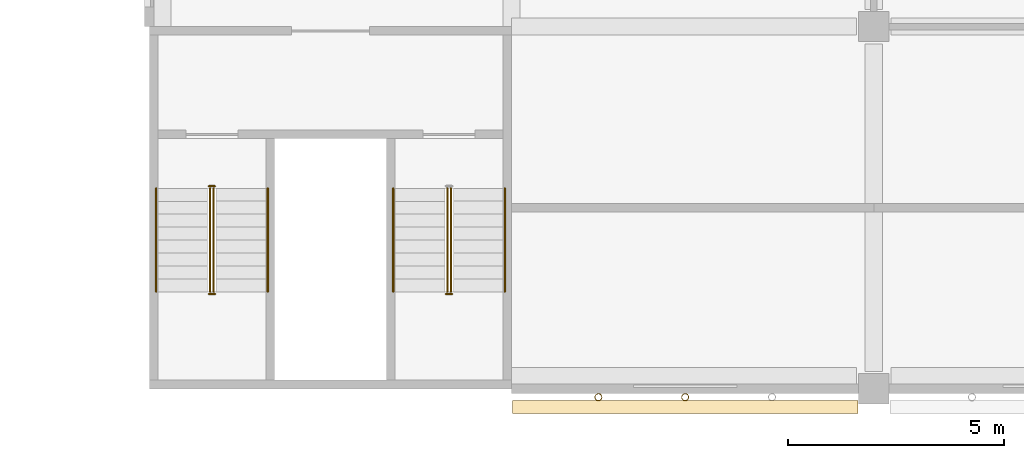
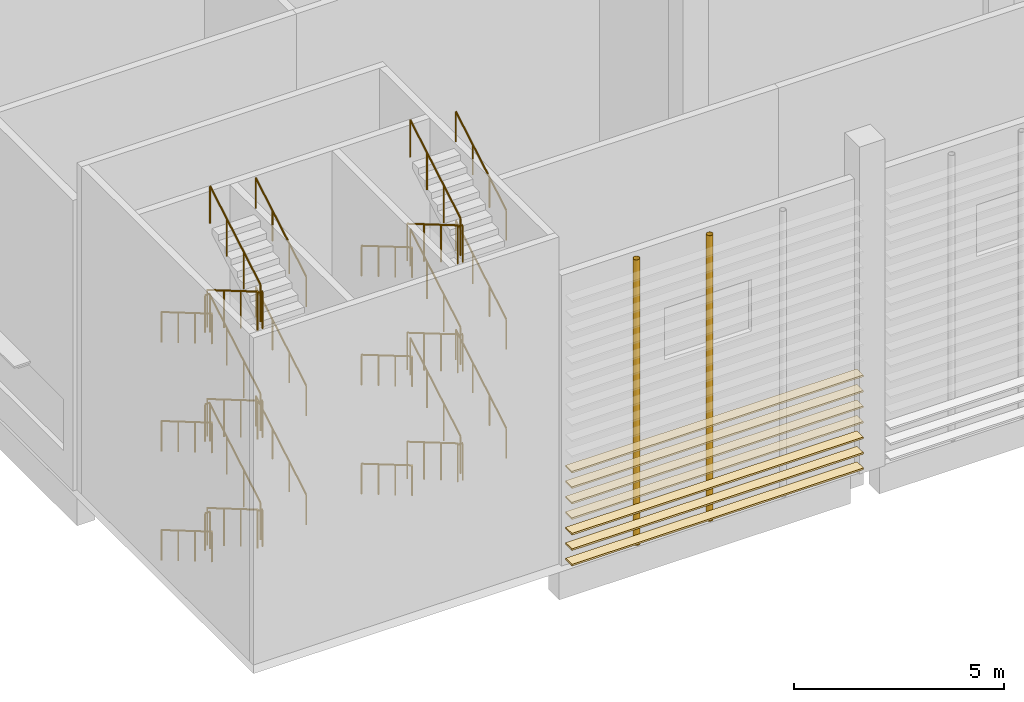
# One storey, part 71 of 114: 33 railings, 7 coverings, 2 shading devices.
"""IFC4 building model written with IfcOpenShell, lengths in metres."""

from ifc_helpers import new_model, si_unit, direction, frame, origin, origin_2d, place, context, subcontext, project, spatial, rectangle, circle, hollow_circle, extrude, material, material_profile, profile_set, type_object, element, save


model = new_model("IFC4")

# Units and contexts
model_context = context("Model", 3, precision=1e-05, world=origin(), true_north=direction((0.0, 1.0)))
body_context = subcontext(model_context, "Body", "Model", "MODEL_VIEW")
ifc_project = project(units=[si_unit("LENGTHUNIT", "METRE"), si_unit("AREAUNIT", "SQUARE_METRE"), si_unit("VOLUMEUNIT", "CUBIC_METRE"), si_unit("PLANEANGLEUNIT", "RADIAN"), si_unit("MASSUNIT", "GRAM", prefix="KILO")], contexts=[model_context])

# Site, building, storey
site_placement = place(None, origin())
site = spatial("IfcSite", under=ifc_project, at=site_placement, CompositionType="ELEMENT")
building_placement = place(site_placement, origin())
building = spatial("IfcBuilding", under=site, at=building_placement, Name="Almond Square Museum", CompositionType="ELEMENT")
storey_placement = place(building_placement, frame((0.0, 0.0, 10.5)))
storey = spatial("IfcBuildingStorey", under=building, at=storey_placement, Name="L02", CompositionType="ELEMENT", Elevation=10.5)

# Shading devices
ifc_material_1 = material(Name="Structural steel S355", Category="steel")
ifc_material_profile_1 = material_profile(ifc_material_1, hollow_circle(Radius=0.084228515625, WallThickness=0.008056640625, at=origin_2d()))
ifc_profile_set_1 = profile_set([ifc_material_profile_1], Name="Structural steel S355")
shading_device_type = type_object("IfcShadingDeviceType", Name="Louvre post CHS 168.3 x 8", PredefinedType="USERDEFINED", material=ifc_profile_set_1)
for number, where, z_axis, x_axis, name in (
    (1, (16.41259765625, -0.194091796875, 0.0), (0.0, 0.0, 1.0), (1.0, 0.0, 0.0), "Louvre screen post"),
    (2, (18.425048828125, -0.194091796875, 0.0), (0.0, 0.0, 1.0), (1.0, 0.0, 0.0), "Louvre screen post"),
):
    element("IfcShadingDevice", number, at=place(storey_placement, frame(where, z_axis=z_axis, x_axis=x_axis)), inside=storey, type_object=shading_device_type, Name=name, ObjectType="POST", PredefinedType="USERDEFINED", context=body_context, shape_type="SweptSolid", body=[
        extrude(hollow_circle(Radius=0.084228515625, WallThickness=0.008056640625, at=origin_2d()), origin(), (0.0, 0.0, 1.0), 8.300048828125),
    ])

# Coverings
ifc_material_2 = material(Name="Cedar timber louvre board", Category="wood")
ifc_material_profile_2 = material_profile(ifc_material_2, rectangle(XDim=0.300048828125, YDim=0.050048828125, at=origin_2d()))
ifc_profile_set_2 = profile_set([ifc_material_profile_2], Name="Cedar timber louvre board")
covering_type = type_object("IfcCoveringType", Name="Louvre screen board 300 x 50", PredefinedType="CLADDING", material=ifc_profile_set_2)
for number, where, z_axis, x_axis, name in (
    (3, (14.419921875, -0.42431640625, 0.300048828125), (1.0, 0.0, 0.0), (0.0, 1.0, 0.0), "Louvre screen board"),
    (4, (14.419921875, -0.42431640625, 0.75), (1.0, 0.0, 0.0), (0.0, 1.0, 0.0), "Louvre screen board"),
    (5, (14.419921875, -0.42431640625, 1.199951171875), (1.0, 0.0, 0.0), (0.0, 1.0, 0.0), "Louvre screen board"),
    (6, (14.419921875, -0.42431640625, 1.64990234375), (1.0, 0.0, 0.0), (0.0, 1.0, 0.0), "Louvre screen board"),
    (7, (14.419921875, -0.42431640625, 2.10009765625), (1.0, 0.0, 0.0), (0.0, 1.0, 0.0), "Louvre screen board"),
    (8, (14.419921875, -0.42431640625, 2.550048828125), (1.0, 0.0, 0.0), (0.0, 1.0, 0.0), "Louvre screen board"),
    (9, (14.419921875, -0.42431640625, 3.0), (1.0, 0.0, 0.0), (0.0, 1.0, 0.0), "Louvre screen board"),
):
    element("IfcCovering", number, at=place(storey_placement, frame(where, z_axis=z_axis, x_axis=x_axis)), inside=storey, type_object=covering_type, Name=name, PredefinedType="CLADDING", context=body_context, shape_type="SweptSolid", body=[
        extrude(rectangle(XDim=0.300048828125, YDim=0.050048828125, at=origin_2d()), origin(), (0.0, 0.0, 1.0), 8.010009765625),
    ])

# Railings
ifc_material_3 = material(Name="Stainless steel and laminated glass", Category="steel")
railing_type_1 = type_object("IfcRailingType", Name="Stair guard 1100 steel and glass", PredefinedType="GUARDRAIL", material=ifc_material_3)
railing_1_placement = place(storey_placement, frame((7.409912109375, 4.64990234375, 0.176025390625)))
element("IfcRailing", 10, at=railing_1_placement, inside=storey, type_object=railing_type_1, Name="L02 ST-27 stair guard 1", PredefinedType="GUARDRAIL", context=body_context, shape_type="SweptSolid", body=[
    extrude(circle(Radius=0.02392578125, at=origin_2d()), frame((0.0, 0.0, 1.076171875), z_axis=(0.0, -0.862637233918, 0.505823094232), x_axis=(1.0, 0.0, 0.0)), (0.0, 0.0, 1.0), 2.781982421875),
    extrude(circle(Radius=0.02099609375, at=origin_2d()), origin(), (0.0, 0.0, 1.0), 1.052001953125),
    extrude(circle(Radius=0.02099609375, at=origin_2d()), frame((0.0, -0.800048828125, 0.468994140625)), (0.0, 0.0, 1.0), 1.052001953125),
    extrude(circle(Radius=0.02099609375, at=origin_2d()), frame((0.0, -1.599853515625, 0.938232421875)), (0.0, 0.0, 1.0), 1.052001953125),
    extrude(circle(Radius=0.02099609375, at=origin_2d()), frame((0.0, -2.39990234375, 1.4072265625)), (0.0, 0.0, 1.0), 1.052001953125),
])
railing_2_placement = place(storey_placement, frame((7.3798828125, 2.199951171875, 1.583251953125)))
element("IfcRailing", 11, at=railing_2_placement, inside=storey, type_object=railing_type_1, Name="L02 ST-27 stair guard 2", PredefinedType="GUARDRAIL", context=body_context, shape_type="SweptSolid", body=[
    extrude(circle(Radius=0.02392578125, at=origin_2d()), frame((0.0, 0.0, 1.076171875), z_axis=(1.0, 0.0, 0.0), x_axis=(0.0, 1.0, 0.0)), (0.0, 0.0, 1.0), 0.14013671875),
    extrude(circle(Radius=0.02099609375, at=origin_2d()), origin(), (0.0, 0.0, 1.0), 1.052001953125),
    extrude(circle(Radius=0.02099609375, at=origin_2d()), frame((0.14013671875, 0.0, 0.0)), (0.0, 0.0, 1.0), 1.052001953125),
])
railing_3_placement = place(storey_placement, frame((7.489990234375, 2.25, 1.75927734375)))
element("IfcRailing", 12, at=railing_3_placement, inside=storey, type_object=railing_type_1, Name="L02 ST-27 stair guard 3", PredefinedType="GUARDRAIL", context=body_context, shape_type="SweptSolid", body=[
    extrude(circle(Radius=0.02392578125, at=origin_2d()), frame((0.0, 0.0, 1.076171875), z_axis=(0.0, 0.86259894172, 0.505888392576), x_axis=(-1.0, 0.0, 0.0)), (0.0, 0.0, 1.0), 2.7822265625),
    extrude(circle(Radius=0.02099609375, at=origin_2d()), origin(), (0.0, 0.0, 1.0), 1.052001953125),
    extrude(circle(Radius=0.02099609375, at=origin_2d()), frame((0.0, 0.800048828125, 0.46923828125)), (0.0, 0.0, 1.0), 1.052001953125),
    extrude(circle(Radius=0.02099609375, at=origin_2d()), frame((0.0, 1.599853515625, 0.938232421875)), (0.0, 0.0, 1.0), 1.052001953125),
    extrude(circle(Radius=0.02099609375, at=origin_2d()), frame((0.0, 2.39990234375, 1.407470703125)), (0.0, 0.0, 1.0), 1.052001953125),
])
railing_4_placement = place(storey_placement, frame((7.3798828125, 4.699951171875, 3.166748046875)))
element("IfcRailing", 13, at=railing_4_placement, inside=storey, type_object=railing_type_1, Name="L02 ST-27 stair guard 4", PredefinedType="GUARDRAIL", context=body_context, shape_type="SweptSolid", body=[
    extrude(circle(Radius=0.02392578125, at=origin_2d()), frame((0.0, 0.0, 1.076171875), z_axis=(1.0, 0.0, 0.0), x_axis=(0.0, 1.0, 0.0)), (0.0, 0.0, 1.0), 0.14013671875),
    extrude(circle(Radius=0.02099609375, at=origin_2d()), origin(), (0.0, 0.0, 1.0), 1.052001953125),
    extrude(circle(Radius=0.02099609375, at=origin_2d()), frame((0.14013671875, 0.0, 0.0)), (0.0, 0.0, 1.0), 1.052001953125),
])
railing_5_placement = place(storey_placement, frame((7.409912109375, 4.64990234375, 3.342529296875)))
element("IfcRailing", 14, at=railing_5_placement, inside=storey, type_object=railing_type_1, Name="L02 ST-27 stair guard 5", PredefinedType="GUARDRAIL", context=body_context, shape_type="SweptSolid", body=[
    extrude(circle(Radius=0.02392578125, at=origin_2d()), frame((0.0, 0.0, 1.076171875), z_axis=(0.0, -0.86259894172, 0.505888392576), x_axis=(1.0, 0.0, 0.0)), (0.0, 0.0, 1.0), 2.7822265625),
    extrude(circle(Radius=0.02099609375, at=origin_2d()), origin(), (0.0, 0.0, 1.0), 1.052001953125),
    extrude(circle(Radius=0.02099609375, at=origin_2d()), frame((0.0, -0.800048828125, 0.46923828125)), (0.0, 0.0, 1.0), 1.052001953125),
    extrude(circle(Radius=0.02099609375, at=origin_2d()), frame((0.0, -1.599853515625, 0.938232421875)), (0.0, 0.0, 1.0), 1.052001953125),
    extrude(circle(Radius=0.02099609375, at=origin_2d()), frame((0.0, -2.39990234375, 1.407470703125)), (0.0, 0.0, 1.0), 1.052001953125),
])
railing_6_placement = place(storey_placement, frame((7.3798828125, 2.199951171875, 4.75)))
element("IfcRailing", 15, at=railing_6_placement, inside=storey, type_object=railing_type_1, Name="L02 ST-27 stair guard 6", PredefinedType="GUARDRAIL", context=body_context, shape_type="SweptSolid", body=[
    extrude(circle(Radius=0.02392578125, at=origin_2d()), frame((0.0, 0.0, 1.076171875), z_axis=(1.0, 0.0, 0.0), x_axis=(0.0, 1.0, 0.0)), (0.0, 0.0, 1.0), 0.14013671875),
    extrude(circle(Radius=0.02099609375, at=origin_2d()), origin(), (0.0, 0.0, 1.0), 1.052001953125),
    extrude(circle(Radius=0.02099609375, at=origin_2d()), frame((0.14013671875, 0.0, 0.0)), (0.0, 0.0, 1.0), 1.052001953125),
])
railing_7_placement = place(storey_placement, frame((7.489990234375, 2.25, 4.926025390625)))
element("IfcRailing", 16, at=railing_7_placement, inside=storey, type_object=railing_type_1, Name="L02 ST-27 stair guard 7", PredefinedType="GUARDRAIL", context=body_context, shape_type="SweptSolid", body=[
    extrude(circle(Radius=0.02392578125, at=origin_2d()), frame((0.0, 0.0, 1.076171875), z_axis=(0.0, 0.862637233918, 0.505823094232), x_axis=(-1.0, 0.0, 0.0)), (0.0, 0.0, 1.0), 2.781982421875),
    extrude(circle(Radius=0.02099609375, at=origin_2d()), origin(), (0.0, 0.0, 1.0), 1.052001953125),
    extrude(circle(Radius=0.02099609375, at=origin_2d()), frame((0.0, 0.800048828125, 0.468994140625)), (0.0, 0.0, 1.0), 1.052001953125),
    extrude(circle(Radius=0.02099609375, at=origin_2d()), frame((0.0, 1.599853515625, 0.938232421875)), (0.0, 0.0, 1.0), 1.052001953125),
    extrude(circle(Radius=0.02099609375, at=origin_2d()), frame((0.0, 2.39990234375, 1.4072265625)), (0.0, 0.0, 1.0), 1.052001953125),
])
railing_8_placement = place(storey_placement, frame((7.3798828125, 4.699951171875, 6.333251953125)))
element("IfcRailing", 17, at=railing_8_placement, inside=storey, type_object=railing_type_1, Name="L02 ST-27 stair guard 8", PredefinedType="GUARDRAIL", context=body_context, shape_type="SweptSolid", body=[
    extrude(circle(Radius=0.02392578125, at=origin_2d()), frame((0.0, 0.0, 1.076171875), z_axis=(1.0, 0.0, 0.0), x_axis=(0.0, 1.0, 0.0)), (0.0, 0.0, 1.0), 0.14013671875),
    extrude(circle(Radius=0.02099609375, at=origin_2d()), origin(), (0.0, 0.0, 1.0), 1.052001953125),
    extrude(circle(Radius=0.02099609375, at=origin_2d()), frame((0.14013671875, 0.0, 0.0)), (0.0, 0.0, 1.0), 1.052001953125),
])
railing_9_placement = place(storey_placement, frame((7.409912109375, 4.64990234375, 6.50927734375)))
element("IfcRailing", 18, at=railing_9_placement, inside=storey, type_object=railing_type_1, Name="L02 ST-27 stair guard 9", PredefinedType="GUARDRAIL", context=body_context, shape_type="SweptSolid", body=[
    extrude(circle(Radius=0.02392578125, at=origin_2d()), frame((0.0, 0.0, 1.076171875), z_axis=(0.0, -0.86259894172, 0.505888392576), x_axis=(1.0, 0.0, 0.0)), (0.0, 0.0, 1.0), 2.7822265625),
    extrude(circle(Radius=0.02099609375, at=origin_2d()), origin(), (0.0, 0.0, 1.0), 1.052001953125),
    extrude(circle(Radius=0.02099609375, at=origin_2d()), frame((0.0, -0.800048828125, 0.46923828125)), (0.0, 0.0, 1.0), 1.052001953125),
    extrude(circle(Radius=0.02099609375, at=origin_2d()), frame((0.0, -1.599853515625, 0.938232421875)), (0.0, 0.0, 1.0), 1.052001953125),
    extrude(circle(Radius=0.02099609375, at=origin_2d()), frame((0.0, -2.39990234375, 1.407470703125)), (0.0, 0.0, 1.0), 1.052001953125),
])
railing_10_placement = place(storey_placement, frame((7.3798828125, 2.199951171875, 7.916748046875)))
element("IfcRailing", 19, at=railing_10_placement, inside=storey, type_object=railing_type_1, Name="L02 ST-27 stair guard 10", PredefinedType="GUARDRAIL", context=body_context, shape_type="SweptSolid", body=[
    extrude(circle(Radius=0.02392578125, at=origin_2d()), frame((0.0, 0.0, 1.076171875), z_axis=(1.0, 0.0, 0.0), x_axis=(0.0, 1.0, 0.0)), (0.0, 0.0, 1.0), 0.14013671875),
    extrude(circle(Radius=0.02099609375, at=origin_2d()), origin(), (0.0, 0.0, 1.0), 1.052001953125),
    extrude(circle(Radius=0.02099609375, at=origin_2d()), frame((0.14013671875, 0.0, 0.0)), (0.0, 0.0, 1.0), 1.052001953125),
])
railing_11_placement = place(storey_placement, frame((7.489990234375, 2.25, 8.092529296875)))
element("IfcRailing", 20, at=railing_11_placement, inside=storey, type_object=railing_type_1, Name="L02 ST-27 stair guard 11", PredefinedType="GUARDRAIL", context=body_context, shape_type="SweptSolid", body=[
    extrude(circle(Radius=0.02392578125, at=origin_2d()), frame((0.0, 0.0, 1.076171875), z_axis=(0.0, 0.86259894172, 0.505888392576), x_axis=(-1.0, 0.0, 0.0)), (0.0, 0.0, 1.0), 2.7822265625),
    extrude(circle(Radius=0.02099609375, at=origin_2d()), origin(), (0.0, 0.0, 1.0), 1.052001953125),
    extrude(circle(Radius=0.02099609375, at=origin_2d()), frame((0.0, 0.800048828125, 0.46923828125)), (0.0, 0.0, 1.0), 1.052001953125),
    extrude(circle(Radius=0.02099609375, at=origin_2d()), frame((0.0, 1.599853515625, 0.938232421875)), (0.0, 0.0, 1.0), 1.052001953125),
    extrude(circle(Radius=0.02099609375, at=origin_2d()), frame((0.0, 2.39990234375, 1.407470703125)), (0.0, 0.0, 1.0), 1.052001953125),
])
railing_12_placement = place(storey_placement, frame((7.3798828125, 4.699951171875, 0.0)))
element("IfcRailing", 21, at=railing_12_placement, inside=storey, type_object=railing_type_1, Name="L02 ST-27 stair guard 12", PredefinedType="GUARDRAIL", context=body_context, shape_type="SweptSolid", body=[
    extrude(circle(Radius=0.02392578125, at=origin_2d()), frame((0.0, 0.0, 1.076171875), z_axis=(1.0, 0.0, 0.0), x_axis=(0.0, 1.0, 0.0)), (0.0, 0.0, 1.0), 0.14013671875),
    extrude(circle(Radius=0.02099609375, at=origin_2d()), origin(), (0.0, 0.0, 1.0), 1.052001953125),
    extrude(circle(Radius=0.02099609375, at=origin_2d()), frame((0.14013671875, 0.0, 0.0)), (0.0, 0.0, 1.0), 1.052001953125),
])
railing_13_placement = place(storey_placement, frame((12.909912109375, 4.64990234375, 0.176025390625)))
element("IfcRailing", 22, at=railing_13_placement, inside=storey, type_object=railing_type_1, Name="L02 ST-28 stair guard 1", PredefinedType="GUARDRAIL", context=body_context, shape_type="SweptSolid", body=[
    extrude(circle(Radius=0.02392578125, at=origin_2d()), frame((0.0, 0.0, 1.076171875), z_axis=(0.0, -0.862637233918, 0.505823094232), x_axis=(1.0, 0.0, 0.0)), (0.0, 0.0, 1.0), 2.781982421875),
    extrude(circle(Radius=0.02099609375, at=origin_2d()), origin(), (0.0, 0.0, 1.0), 1.052001953125),
    extrude(circle(Radius=0.02099609375, at=origin_2d()), frame((0.0, -0.800048828125, 0.468994140625)), (0.0, 0.0, 1.0), 1.052001953125),
    extrude(circle(Radius=0.02099609375, at=origin_2d()), frame((0.0, -1.599853515625, 0.938232421875)), (0.0, 0.0, 1.0), 1.052001953125),
    extrude(circle(Radius=0.02099609375, at=origin_2d()), frame((0.0, -2.39990234375, 1.4072265625)), (0.0, 0.0, 1.0), 1.052001953125),
])
railing_14_placement = place(storey_placement, frame((12.8798828125, 2.199951171875, 1.583251953125)))
element("IfcRailing", 23, at=railing_14_placement, inside=storey, type_object=railing_type_1, Name="L02 ST-28 stair guard 2", PredefinedType="GUARDRAIL", context=body_context, shape_type="SweptSolid", body=[
    extrude(circle(Radius=0.02392578125, at=origin_2d()), frame((0.0, 0.0, 1.076171875), z_axis=(1.0, 0.0, 0.0), x_axis=(0.0, 1.0, 0.0)), (0.0, 0.0, 1.0), 0.14013671875),
    extrude(circle(Radius=0.02099609375, at=origin_2d()), origin(), (0.0, 0.0, 1.0), 1.052001953125),
    extrude(circle(Radius=0.02099609375, at=origin_2d()), frame((0.14013671875, 0.0, 0.0)), (0.0, 0.0, 1.0), 1.052001953125),
])
railing_15_placement = place(storey_placement, frame((12.989990234375, 2.25, 1.75927734375)))
element("IfcRailing", 24, at=railing_15_placement, inside=storey, type_object=railing_type_1, Name="L02 ST-28 stair guard 3", PredefinedType="GUARDRAIL", context=body_context, shape_type="SweptSolid", body=[
    extrude(circle(Radius=0.02392578125, at=origin_2d()), frame((0.0, 0.0, 1.076171875), z_axis=(0.0, 0.86259894172, 0.505888392576), x_axis=(-1.0, 0.0, 0.0)), (0.0, 0.0, 1.0), 2.7822265625),
    extrude(circle(Radius=0.02099609375, at=origin_2d()), origin(), (0.0, 0.0, 1.0), 1.052001953125),
    extrude(circle(Radius=0.02099609375, at=origin_2d()), frame((0.0, 0.800048828125, 0.46923828125)), (0.0, 0.0, 1.0), 1.052001953125),
    extrude(circle(Radius=0.02099609375, at=origin_2d()), frame((0.0, 1.599853515625, 0.938232421875)), (0.0, 0.0, 1.0), 1.052001953125),
    extrude(circle(Radius=0.02099609375, at=origin_2d()), frame((0.0, 2.39990234375, 1.407470703125)), (0.0, 0.0, 1.0), 1.052001953125),
])
railing_16_placement = place(storey_placement, frame((12.909912109375, 4.64990234375, 3.342529296875)))
element("IfcRailing", 25, at=railing_16_placement, inside=storey, type_object=railing_type_1, Name="L02 ST-28 stair guard 5", PredefinedType="GUARDRAIL", context=body_context, shape_type="SweptSolid", body=[
    extrude(circle(Radius=0.02392578125, at=origin_2d()), frame((0.0, 0.0, 1.076171875), z_axis=(0.0, -0.86259894172, 0.505888392576), x_axis=(1.0, 0.0, 0.0)), (0.0, 0.0, 1.0), 2.7822265625),
    extrude(circle(Radius=0.02099609375, at=origin_2d()), origin(), (0.0, 0.0, 1.0), 1.052001953125),
    extrude(circle(Radius=0.02099609375, at=origin_2d()), frame((0.0, -0.800048828125, 0.46923828125)), (0.0, 0.0, 1.0), 1.052001953125),
    extrude(circle(Radius=0.02099609375, at=origin_2d()), frame((0.0, -1.599853515625, 0.938232421875)), (0.0, 0.0, 1.0), 1.052001953125),
    extrude(circle(Radius=0.02099609375, at=origin_2d()), frame((0.0, -2.39990234375, 1.407470703125)), (0.0, 0.0, 1.0), 1.052001953125),
])
railing_17_placement = place(storey_placement, frame((12.8798828125, 2.199951171875, 4.75)))
element("IfcRailing", 26, at=railing_17_placement, inside=storey, type_object=railing_type_1, Name="L02 ST-28 stair guard 6", PredefinedType="GUARDRAIL", context=body_context, shape_type="SweptSolid", body=[
    extrude(circle(Radius=0.02392578125, at=origin_2d()), frame((0.0, 0.0, 1.076171875), z_axis=(1.0, 0.0, 0.0), x_axis=(0.0, 1.0, 0.0)), (0.0, 0.0, 1.0), 0.14013671875),
    extrude(circle(Radius=0.02099609375, at=origin_2d()), origin(), (0.0, 0.0, 1.0), 1.052001953125),
    extrude(circle(Radius=0.02099609375, at=origin_2d()), frame((0.14013671875, 0.0, 0.0)), (0.0, 0.0, 1.0), 1.052001953125),
])
railing_18_placement = place(storey_placement, frame((12.989990234375, 2.25, 4.926025390625)))
element("IfcRailing", 27, at=railing_18_placement, inside=storey, type_object=railing_type_1, Name="L02 ST-28 stair guard 7", PredefinedType="GUARDRAIL", context=body_context, shape_type="SweptSolid", body=[
    extrude(circle(Radius=0.02392578125, at=origin_2d()), frame((0.0, 0.0, 1.076171875), z_axis=(0.0, 0.862637233918, 0.505823094232), x_axis=(-1.0, 0.0, 0.0)), (0.0, 0.0, 1.0), 2.781982421875),
    extrude(circle(Radius=0.02099609375, at=origin_2d()), origin(), (0.0, 0.0, 1.0), 1.052001953125),
    extrude(circle(Radius=0.02099609375, at=origin_2d()), frame((0.0, 0.800048828125, 0.468994140625)), (0.0, 0.0, 1.0), 1.052001953125),
    extrude(circle(Radius=0.02099609375, at=origin_2d()), frame((0.0, 1.599853515625, 0.938232421875)), (0.0, 0.0, 1.0), 1.052001953125),
    extrude(circle(Radius=0.02099609375, at=origin_2d()), frame((0.0, 2.39990234375, 1.4072265625)), (0.0, 0.0, 1.0), 1.052001953125),
])
railing_19_placement = place(storey_placement, frame((12.909912109375, 4.64990234375, 6.50927734375)))
element("IfcRailing", 28, at=railing_19_placement, inside=storey, type_object=railing_type_1, Name="L02 ST-28 stair guard 9", PredefinedType="GUARDRAIL", context=body_context, shape_type="SweptSolid", body=[
    extrude(circle(Radius=0.02392578125, at=origin_2d()), frame((0.0, 0.0, 1.076171875), z_axis=(0.0, -0.86259894172, 0.505888392576), x_axis=(1.0, 0.0, 0.0)), (0.0, 0.0, 1.0), 2.7822265625),
    extrude(circle(Radius=0.02099609375, at=origin_2d()), origin(), (0.0, 0.0, 1.0), 1.052001953125),
    extrude(circle(Radius=0.02099609375, at=origin_2d()), frame((0.0, -0.800048828125, 0.46923828125)), (0.0, 0.0, 1.0), 1.052001953125),
    extrude(circle(Radius=0.02099609375, at=origin_2d()), frame((0.0, -1.599853515625, 0.938232421875)), (0.0, 0.0, 1.0), 1.052001953125),
    extrude(circle(Radius=0.02099609375, at=origin_2d()), frame((0.0, -2.39990234375, 1.407470703125)), (0.0, 0.0, 1.0), 1.052001953125),
])
railing_20_placement = place(storey_placement, frame((12.8798828125, 2.199951171875, 7.916748046875)))
element("IfcRailing", 29, at=railing_20_placement, inside=storey, type_object=railing_type_1, Name="L02 ST-28 stair guard 10", PredefinedType="GUARDRAIL", context=body_context, shape_type="SweptSolid", body=[
    extrude(circle(Radius=0.02392578125, at=origin_2d()), frame((0.0, 0.0, 1.076171875), z_axis=(1.0, 0.0, 0.0), x_axis=(0.0, 1.0, 0.0)), (0.0, 0.0, 1.0), 0.14013671875),
    extrude(circle(Radius=0.02099609375, at=origin_2d()), origin(), (0.0, 0.0, 1.0), 1.052001953125),
    extrude(circle(Radius=0.02099609375, at=origin_2d()), frame((0.14013671875, 0.0, 0.0)), (0.0, 0.0, 1.0), 1.052001953125),
])
railing_21_placement = place(storey_placement, frame((12.989990234375, 2.25, 8.092529296875)))
element("IfcRailing", 30, at=railing_21_placement, inside=storey, type_object=railing_type_1, Name="L02 ST-28 stair guard 11", PredefinedType="GUARDRAIL", context=body_context, shape_type="SweptSolid", body=[
    extrude(circle(Radius=0.02392578125, at=origin_2d()), frame((0.0, 0.0, 1.076171875), z_axis=(0.0, 0.86259894172, 0.505888392576), x_axis=(-1.0, 0.0, 0.0)), (0.0, 0.0, 1.0), 2.7822265625),
    extrude(circle(Radius=0.02099609375, at=origin_2d()), origin(), (0.0, 0.0, 1.0), 1.052001953125),
    extrude(circle(Radius=0.02099609375, at=origin_2d()), frame((0.0, 0.800048828125, 0.46923828125)), (0.0, 0.0, 1.0), 1.052001953125),
    extrude(circle(Radius=0.02099609375, at=origin_2d()), frame((0.0, 1.599853515625, 0.938232421875)), (0.0, 0.0, 1.0), 1.052001953125),
    extrude(circle(Radius=0.02099609375, at=origin_2d()), frame((0.0, 2.39990234375, 1.407470703125)), (0.0, 0.0, 1.0), 1.052001953125),
])
ifc_material_4 = material(Name="Stainless steel", Category="steel")
railing_type_2 = type_object("IfcRailingType", Name="Stair handrail 900 steel", PredefinedType="HANDRAIL", material=ifc_material_4)
railing_22_placement = place(storey_placement, frame((6.155029296875, 4.64990234375, 0.176025390625)))
element("IfcRailing", 31, at=railing_22_placement, inside=storey, type_object=railing_type_2, Name="L02 ST-27 stair handrail 1", PredefinedType="HANDRAIL", context=body_context, shape_type="SweptSolid", body=[
    extrude(circle(Radius=0.02392578125, at=origin_2d()), frame((0.0, 0.0, 0.8759765625), z_axis=(0.0, -0.862637233918, 0.505823094232), x_axis=(1.0, 0.0, 0.0)), (0.0, 0.0, 1.0), 2.781982421875),
    extrude(circle(Radius=0.02099609375, at=origin_2d()), origin(), (0.0, 0.0, 1.0), 0.851806640625),
    extrude(circle(Radius=0.02099609375, at=origin_2d()), frame((0.0, -0.800048828125, 0.468994140625)), (0.0, 0.0, 1.0), 0.851806640625),
    extrude(circle(Radius=0.02099609375, at=origin_2d()), frame((0.0, -1.599853515625, 0.938232421875)), (0.0, 0.0, 1.0), 0.851806640625),
    extrude(circle(Radius=0.02099609375, at=origin_2d()), frame((0.0, -2.39990234375, 1.4072265625)), (0.0, 0.0, 1.0), 0.851806640625),
])
railing_23_placement = place(storey_placement, frame((8.7451171875, 2.25, 1.75927734375)))
element("IfcRailing", 32, at=railing_23_placement, inside=storey, type_object=railing_type_2, Name="L02 ST-27 stair handrail 2", PredefinedType="HANDRAIL", context=body_context, shape_type="SweptSolid", body=[
    extrude(circle(Radius=0.02392578125, at=origin_2d()), frame((0.0, 0.0, 0.8759765625), z_axis=(0.0, 0.86259894172, 0.505888392576), x_axis=(-1.0, 0.0, 0.0)), (0.0, 0.0, 1.0), 2.7822265625),
    extrude(circle(Radius=0.02099609375, at=origin_2d()), origin(), (0.0, 0.0, 1.0), 0.851806640625),
    extrude(circle(Radius=0.02099609375, at=origin_2d()), frame((0.0, 0.800048828125, 0.46923828125)), (0.0, 0.0, 1.0), 0.851806640625),
    extrude(circle(Radius=0.02099609375, at=origin_2d()), frame((0.0, 1.599853515625, 0.938232421875)), (0.0, 0.0, 1.0), 0.851806640625),
    extrude(circle(Radius=0.02099609375, at=origin_2d()), frame((0.0, 2.39990234375, 1.407470703125)), (0.0, 0.0, 1.0), 0.851806640625),
])
railing_24_placement = place(storey_placement, frame((6.155029296875, 4.64990234375, 3.342529296875)))
element("IfcRailing", 33, at=railing_24_placement, inside=storey, type_object=railing_type_2, Name="L02 ST-27 stair handrail 3", PredefinedType="HANDRAIL", context=body_context, shape_type="SweptSolid", body=[
    extrude(circle(Radius=0.02392578125, at=origin_2d()), frame((0.0, 0.0, 0.8759765625), z_axis=(0.0, -0.86259894172, 0.505888392576), x_axis=(1.0, 0.0, 0.0)), (0.0, 0.0, 1.0), 2.7822265625),
    extrude(circle(Radius=0.02099609375, at=origin_2d()), origin(), (0.0, 0.0, 1.0), 0.851806640625),
    extrude(circle(Radius=0.02099609375, at=origin_2d()), frame((0.0, -0.800048828125, 0.46923828125)), (0.0, 0.0, 1.0), 0.851806640625),
    extrude(circle(Radius=0.02099609375, at=origin_2d()), frame((0.0, -1.599853515625, 0.938232421875)), (0.0, 0.0, 1.0), 0.851806640625),
    extrude(circle(Radius=0.02099609375, at=origin_2d()), frame((0.0, -2.39990234375, 1.407470703125)), (0.0, 0.0, 1.0), 0.851806640625),
])
railing_25_placement = place(storey_placement, frame((8.7451171875, 2.25, 4.926025390625)))
element("IfcRailing", 34, at=railing_25_placement, inside=storey, type_object=railing_type_2, Name="L02 ST-27 stair handrail 4", PredefinedType="HANDRAIL", context=body_context, shape_type="SweptSolid", body=[
    extrude(circle(Radius=0.02392578125, at=origin_2d()), frame((0.0, 0.0, 0.8759765625), z_axis=(0.0, 0.862637233918, 0.505823094232), x_axis=(-1.0, 0.0, 0.0)), (0.0, 0.0, 1.0), 2.781982421875),
    extrude(circle(Radius=0.02099609375, at=origin_2d()), origin(), (0.0, 0.0, 1.0), 0.851806640625),
    extrude(circle(Radius=0.02099609375, at=origin_2d()), frame((0.0, 0.800048828125, 0.468994140625)), (0.0, 0.0, 1.0), 0.851806640625),
    extrude(circle(Radius=0.02099609375, at=origin_2d()), frame((0.0, 1.599853515625, 0.938232421875)), (0.0, 0.0, 1.0), 0.851806640625),
    extrude(circle(Radius=0.02099609375, at=origin_2d()), frame((0.0, 2.39990234375, 1.4072265625)), (0.0, 0.0, 1.0), 0.851806640625),
])
railing_26_placement = place(storey_placement, frame((6.155029296875, 4.64990234375, 6.50927734375)))
element("IfcRailing", 35, at=railing_26_placement, inside=storey, type_object=railing_type_2, Name="L02 ST-27 stair handrail 5", PredefinedType="HANDRAIL", context=body_context, shape_type="SweptSolid", body=[
    extrude(circle(Radius=0.02392578125, at=origin_2d()), frame((0.0, 0.0, 0.8759765625), z_axis=(0.0, -0.86259894172, 0.505888392576), x_axis=(1.0, 0.0, 0.0)), (0.0, 0.0, 1.0), 2.7822265625),
    extrude(circle(Radius=0.02099609375, at=origin_2d()), origin(), (0.0, 0.0, 1.0), 0.851806640625),
    extrude(circle(Radius=0.02099609375, at=origin_2d()), frame((0.0, -0.800048828125, 0.46923828125)), (0.0, 0.0, 1.0), 0.851806640625),
    extrude(circle(Radius=0.02099609375, at=origin_2d()), frame((0.0, -1.599853515625, 0.938232421875)), (0.0, 0.0, 1.0), 0.851806640625),
    extrude(circle(Radius=0.02099609375, at=origin_2d()), frame((0.0, -2.39990234375, 1.407470703125)), (0.0, 0.0, 1.0), 0.851806640625),
])
railing_27_placement = place(storey_placement, frame((8.7451171875, 2.25, 8.092529296875)))
element("IfcRailing", 36, at=railing_27_placement, inside=storey, type_object=railing_type_2, Name="L02 ST-27 stair handrail 6", PredefinedType="HANDRAIL", context=body_context, shape_type="SweptSolid", body=[
    extrude(circle(Radius=0.02392578125, at=origin_2d()), frame((0.0, 0.0, 0.8759765625), z_axis=(0.0, 0.86259894172, 0.505888392576), x_axis=(-1.0, 0.0, 0.0)), (0.0, 0.0, 1.0), 2.7822265625),
    extrude(circle(Radius=0.02099609375, at=origin_2d()), origin(), (0.0, 0.0, 1.0), 0.851806640625),
    extrude(circle(Radius=0.02099609375, at=origin_2d()), frame((0.0, 0.800048828125, 0.46923828125)), (0.0, 0.0, 1.0), 0.851806640625),
    extrude(circle(Radius=0.02099609375, at=origin_2d()), frame((0.0, 1.599853515625, 0.938232421875)), (0.0, 0.0, 1.0), 0.851806640625),
    extrude(circle(Radius=0.02099609375, at=origin_2d()), frame((0.0, 2.39990234375, 1.407470703125)), (0.0, 0.0, 1.0), 0.851806640625),
])
railing_28_placement = place(storey_placement, frame((11.655029296875, 4.64990234375, 0.176025390625)))
element("IfcRailing", 37, at=railing_28_placement, inside=storey, type_object=railing_type_2, Name="L02 ST-28 stair handrail 1", PredefinedType="HANDRAIL", context=body_context, shape_type="SweptSolid", body=[
    extrude(circle(Radius=0.02392578125, at=origin_2d()), frame((0.0, 0.0, 0.8759765625), z_axis=(0.0, -0.862637233918, 0.505823094232), x_axis=(1.0, 0.0, 0.0)), (0.0, 0.0, 1.0), 2.781982421875),
    extrude(circle(Radius=0.02099609375, at=origin_2d()), origin(), (0.0, 0.0, 1.0), 0.851806640625),
    extrude(circle(Radius=0.02099609375, at=origin_2d()), frame((0.0, -0.800048828125, 0.468994140625)), (0.0, 0.0, 1.0), 0.851806640625),
    extrude(circle(Radius=0.02099609375, at=origin_2d()), frame((0.0, -1.599853515625, 0.938232421875)), (0.0, 0.0, 1.0), 0.851806640625),
    extrude(circle(Radius=0.02099609375, at=origin_2d()), frame((0.0, -2.39990234375, 1.4072265625)), (0.0, 0.0, 1.0), 0.851806640625),
])
railing_29_placement = place(storey_placement, frame((14.2451171875, 2.25, 1.75927734375)))
element("IfcRailing", 38, at=railing_29_placement, inside=storey, type_object=railing_type_2, Name="L02 ST-28 stair handrail 2", PredefinedType="HANDRAIL", context=body_context, shape_type="SweptSolid", body=[
    extrude(circle(Radius=0.02392578125, at=origin_2d()), frame((0.0, 0.0, 0.8759765625), z_axis=(0.0, 0.86259894172, 0.505888392576), x_axis=(-1.0, 0.0, 0.0)), (0.0, 0.0, 1.0), 2.7822265625),
    extrude(circle(Radius=0.02099609375, at=origin_2d()), origin(), (0.0, 0.0, 1.0), 0.851806640625),
    extrude(circle(Radius=0.02099609375, at=origin_2d()), frame((0.0, 0.800048828125, 0.46923828125)), (0.0, 0.0, 1.0), 0.851806640625),
    extrude(circle(Radius=0.02099609375, at=origin_2d()), frame((0.0, 1.599853515625, 0.938232421875)), (0.0, 0.0, 1.0), 0.851806640625),
    extrude(circle(Radius=0.02099609375, at=origin_2d()), frame((0.0, 2.39990234375, 1.407470703125)), (0.0, 0.0, 1.0), 0.851806640625),
])
railing_30_placement = place(storey_placement, frame((11.655029296875, 4.64990234375, 3.342529296875)))
element("IfcRailing", 39, at=railing_30_placement, inside=storey, type_object=railing_type_2, Name="L02 ST-28 stair handrail 3", PredefinedType="HANDRAIL", context=body_context, shape_type="SweptSolid", body=[
    extrude(circle(Radius=0.02392578125, at=origin_2d()), frame((0.0, 0.0, 0.8759765625), z_axis=(0.0, -0.86259894172, 0.505888392576), x_axis=(1.0, 0.0, 0.0)), (0.0, 0.0, 1.0), 2.7822265625),
    extrude(circle(Radius=0.02099609375, at=origin_2d()), origin(), (0.0, 0.0, 1.0), 0.851806640625),
    extrude(circle(Radius=0.02099609375, at=origin_2d()), frame((0.0, -0.800048828125, 0.46923828125)), (0.0, 0.0, 1.0), 0.851806640625),
    extrude(circle(Radius=0.02099609375, at=origin_2d()), frame((0.0, -1.599853515625, 0.938232421875)), (0.0, 0.0, 1.0), 0.851806640625),
    extrude(circle(Radius=0.02099609375, at=origin_2d()), frame((0.0, -2.39990234375, 1.407470703125)), (0.0, 0.0, 1.0), 0.851806640625),
])
railing_31_placement = place(storey_placement, frame((14.2451171875, 2.25, 4.926025390625)))
element("IfcRailing", 40, at=railing_31_placement, inside=storey, type_object=railing_type_2, Name="L02 ST-28 stair handrail 4", PredefinedType="HANDRAIL", context=body_context, shape_type="SweptSolid", body=[
    extrude(circle(Radius=0.02392578125, at=origin_2d()), frame((0.0, 0.0, 0.8759765625), z_axis=(0.0, 0.862637233918, 0.505823094232), x_axis=(-1.0, 0.0, 0.0)), (0.0, 0.0, 1.0), 2.781982421875),
    extrude(circle(Radius=0.02099609375, at=origin_2d()), origin(), (0.0, 0.0, 1.0), 0.851806640625),
    extrude(circle(Radius=0.02099609375, at=origin_2d()), frame((0.0, 0.800048828125, 0.468994140625)), (0.0, 0.0, 1.0), 0.851806640625),
    extrude(circle(Radius=0.02099609375, at=origin_2d()), frame((0.0, 1.599853515625, 0.938232421875)), (0.0, 0.0, 1.0), 0.851806640625),
    extrude(circle(Radius=0.02099609375, at=origin_2d()), frame((0.0, 2.39990234375, 1.4072265625)), (0.0, 0.0, 1.0), 0.851806640625),
])
railing_32_placement = place(storey_placement, frame((11.655029296875, 4.64990234375, 6.50927734375)))
element("IfcRailing", 41, at=railing_32_placement, inside=storey, type_object=railing_type_2, Name="L02 ST-28 stair handrail 5", PredefinedType="HANDRAIL", context=body_context, shape_type="SweptSolid", body=[
    extrude(circle(Radius=0.02392578125, at=origin_2d()), frame((0.0, 0.0, 0.8759765625), z_axis=(0.0, -0.86259894172, 0.505888392576), x_axis=(1.0, 0.0, 0.0)), (0.0, 0.0, 1.0), 2.7822265625),
    extrude(circle(Radius=0.02099609375, at=origin_2d()), origin(), (0.0, 0.0, 1.0), 0.851806640625),
    extrude(circle(Radius=0.02099609375, at=origin_2d()), frame((0.0, -0.800048828125, 0.46923828125)), (0.0, 0.0, 1.0), 0.851806640625),
    extrude(circle(Radius=0.02099609375, at=origin_2d()), frame((0.0, -1.599853515625, 0.938232421875)), (0.0, 0.0, 1.0), 0.851806640625),
    extrude(circle(Radius=0.02099609375, at=origin_2d()), frame((0.0, -2.39990234375, 1.407470703125)), (0.0, 0.0, 1.0), 0.851806640625),
])
railing_33_placement = place(storey_placement, frame((14.2451171875, 2.25, 8.092529296875)))
element("IfcRailing", 42, at=railing_33_placement, inside=storey, type_object=railing_type_2, Name="L02 ST-28 stair handrail 6", PredefinedType="HANDRAIL", context=body_context, shape_type="SweptSolid", body=[
    extrude(circle(Radius=0.02392578125, at=origin_2d()), frame((0.0, 0.0, 0.8759765625), z_axis=(0.0, 0.86259894172, 0.505888392576), x_axis=(-1.0, 0.0, 0.0)), (0.0, 0.0, 1.0), 2.7822265625),
    extrude(circle(Radius=0.02099609375, at=origin_2d()), origin(), (0.0, 0.0, 1.0), 0.851806640625),
    extrude(circle(Radius=0.02099609375, at=origin_2d()), frame((0.0, 0.800048828125, 0.46923828125)), (0.0, 0.0, 1.0), 0.851806640625),
    extrude(circle(Radius=0.02099609375, at=origin_2d()), frame((0.0, 1.599853515625, 0.938232421875)), (0.0, 0.0, 1.0), 0.851806640625),
    extrude(circle(Radius=0.02099609375, at=origin_2d()), frame((0.0, 2.39990234375, 1.407470703125)), (0.0, 0.0, 1.0), 0.851806640625),
])

save(model, "model.ifc")
